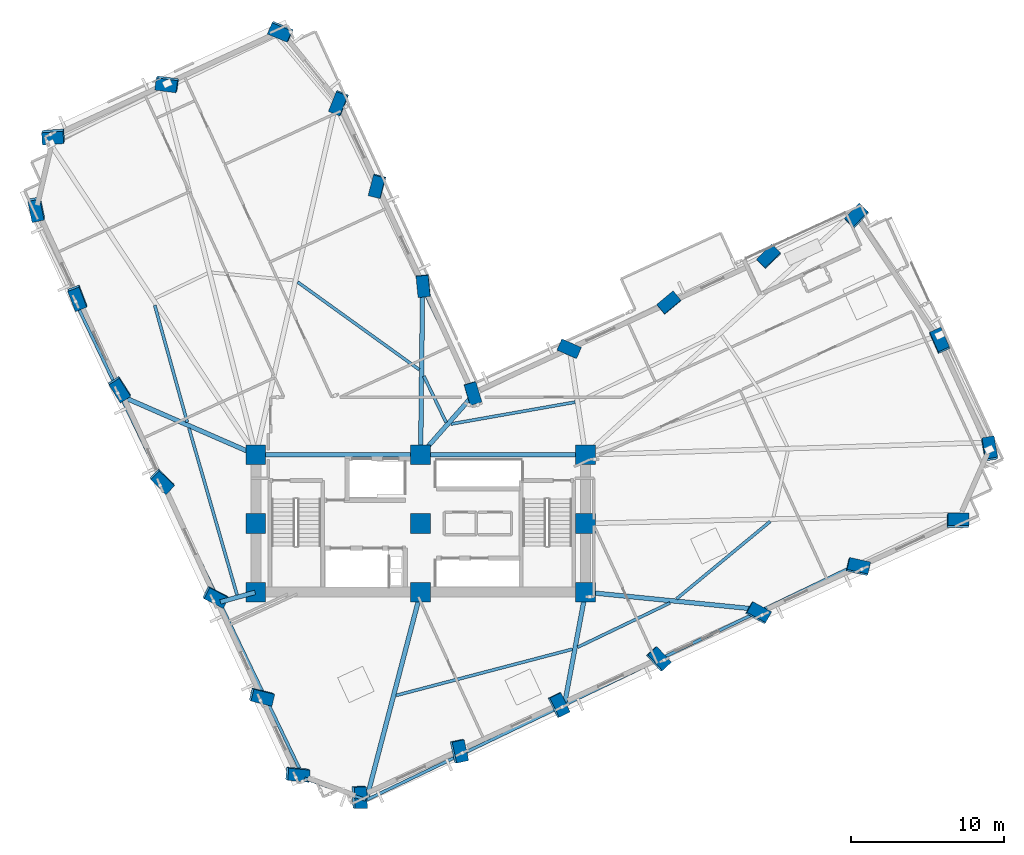
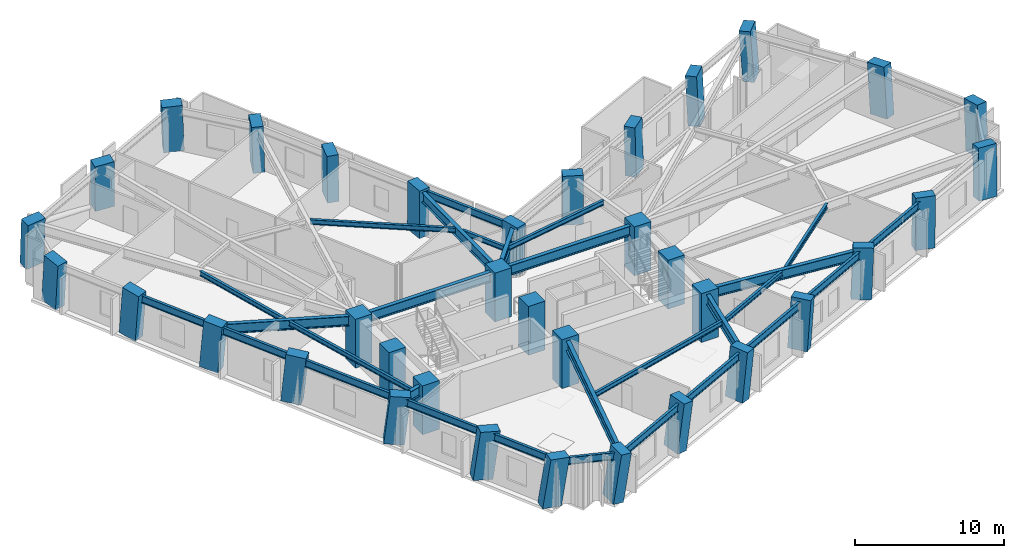
# One storey, part 1 of 16: 36 columns, 29 beams.
"""IFC4 building model written with IfcOpenShell, lengths in metres."""

from ifc_helpers import new_model, si_unit, direction, frame, origin, origin_2d, place, context, subcontext, project, spatial, rectangle, i_section, extrude, material, material_profile, profile_set, type_object, element, save


model = new_model("IFC4")

# Units and contexts
model_context = context("Model", 3, precision=1e-05, world=origin(), true_north=direction((0.0, 1.0)))
body_context = subcontext(model_context, "Body", "Model", "MODEL_VIEW")
ifc_project = project(units=[si_unit("LENGTHUNIT", "METRE"), si_unit("AREAUNIT", "SQUARE_METRE"), si_unit("VOLUMEUNIT", "CUBIC_METRE"), si_unit("PLANEANGLEUNIT", "RADIAN"), si_unit("MASSUNIT", "GRAM", prefix="KILO")], contexts=[model_context])

# Site, building, storey
site_placement = place(None, origin())
site = spatial("IfcSite", under=ifc_project, at=site_placement, CompositionType="ELEMENT")
building_placement = place(site_placement, origin())
building = spatial("IfcBuilding", under=site, at=building_placement, Name="Gaonmaruhae Medical Tower", CompositionType="ELEMENT")
storey_placement = place(building_placement, frame((0.0, 0.0, 128.39990234375)))
storey = spatial("IfcBuildingStorey", under=building, at=storey_placement, Name="L30", CompositionType="ELEMENT", Elevation=128.39990234375)

# Columns
ifc_material_1 = material(Name="Concrete C60/75", Category="concrete")
ifc_material_profile_1 = material_profile(ifc_material_1, rectangle(XDim=1.300048828125, YDim=1.300048828125, at=origin_2d()), Name="RC-1300x1300")
ifc_profile_set_1 = profile_set([ifc_material_profile_1], Name="Concrete C60/75")
column_type_1 = type_object("IfcColumnType", Name="CC-03 Zone 2 Core Column (RC-1300x1300)", PredefinedType="COLUMN", material=ifc_profile_set_1)
for number, where, z_axis, x_axis, name in (
    (1, (14.0, 7.800048828125, 0.0), (0.0, 0.0, 1.0), (1.0, 0.0, 0.0), "L30 Plumb Core Column CC11"),
    (2, (14.0, 12.300048828125, 0.0), (0.0, 0.0, 1.0), (1.0, 0.0, 0.0), "L30 Plumb Core Column CC12"),
    (3, (14.0, 16.800048828125, 0.0), (0.0, 0.0, 1.0), (1.0, 0.0, 0.0), "L30 Plumb Core Column CC13"),
    (4, (24.800048828125, 7.800048828125, 0.0), (0.0, 0.0, 1.0), (1.0, 0.0, 0.0), "L30 Plumb Core Column CC21"),
    (5, (24.800048828125, 12.300048828125, 0.0), (0.0, 0.0, 1.0), (1.0, 0.0, 0.0), "L30 Plumb Core Column CC22"),
    (6, (24.800048828125, 16.800048828125, 0.0), (0.0, 0.0, 1.0), (1.0, 0.0, 0.0), "L30 Plumb Core Column CC23"),
    (7, (35.60009765625, 7.800048828125, 0.0), (0.0, 0.0, 1.0), (1.0, 0.0, 0.0), "L30 Plumb Core Column CC31"),
    (8, (35.60009765625, 12.300048828125, 0.0), (0.0, 0.0, 1.0), (1.0, 0.0, 0.0), "L30 Plumb Core Column CC32"),
    (9, (35.60009765625, 16.800048828125, 0.0), (0.0, 0.0, 1.0), (1.0, 0.0, 0.0), "L30 Plumb Core Column CC33"),
):
    element("IfcColumn", number, at=place(storey_placement, frame(where, z_axis=z_axis, x_axis=x_axis)), inside=storey, type_object=column_type_1, Name=name, PredefinedType="COLUMN", context=body_context, shape_type="SweptSolid", body=[
        extrude(rectangle(XDim=1.300048828125, YDim=1.300048828125, at=origin_2d()), origin(), (0.0, 0.0, 1.0), 4.0),
    ])
ifc_material_profile_2 = material_profile(ifc_material_1, rectangle(XDim=1.39990234375, YDim=0.800048828125, at=origin_2d()), Name="RC-1400x800")
ifc_profile_set_2 = profile_set([ifc_material_profile_2], Name="Concrete C60/75")
column_type_2 = type_object("IfcColumnType", Name="TC-02 Mid Raking Tube Pier Column (RC-1400x800)", PredefinedType="COLUMN", material=ifc_profile_set_2)
column_1_placement = place(storey_placement, frame((20.730224609375, -5.6103515625, 0.001953125), z_axis=(0.125290866029, -0.051811102087, 0.990766273442), x_axis=(-0.035408269982, 0.99776574747, 0.056654810844)))
element("IfcColumn", 10, at=column_1_placement, inside=storey, type_object=column_type_2, Name="L30 Perimeter Tube Column S01", PredefinedType="COLUMN", context=body_context, shape_type="SweptSolid", body=[
    extrude(rectangle(XDim=1.39990234375, YDim=0.800048828125, at=origin_2d()), origin(), (0.0, 0.0, 1.0), 4.03369140625),
])
column_2_placement = place(storey_placement, frame((27.271484375, -2.6015625, 0.001953125), z_axis=(0.112987059175, -0.025121719924, 0.993278824725), x_axis=(-0.207980555078, 0.976936420147, 0.048366514234)))
element("IfcColumn", 11, at=column_2_placement, inside=storey, type_object=column_type_2, Name="L30 Perimeter Tube Column S02", PredefinedType="COLUMN", context=body_context, shape_type="SweptSolid", body=[
    extrude(rectangle(XDim=1.39990234375, YDim=0.800048828125, at=origin_2d()), origin(), (0.0, 0.0, 1.0), 4.0234375),
])
column_3_placement = place(storey_placement, frame((33.812744140625, 0.406982421875, 0.001953125), z_axis=(0.100592761199, 0.001701871489, 0.994926228435), x_axis=(-0.431055755995, 0.901345404639, 0.042040418159)))
element("IfcColumn", 12, at=column_3_placement, inside=storey, type_object=column_type_2, Name="L30 Perimeter Tube Column S03", PredefinedType="COLUMN", context=body_context, shape_type="SweptSolid", body=[
    extrude(rectangle(XDim=1.39990234375, YDim=0.800048828125, at=origin_2d()), origin(), (0.0, 0.0, 1.0), 4.0166015625),
])
column_4_placement = place(storey_placement, frame((40.353759765625, 3.415771484375, 0.001953125), z_axis=(0.088079787363, 0.028589433744, 0.995703065847), x_axis=(-0.6762297201, 0.735673833604, 0.038695945562)))
element("IfcColumn", 13, at=column_4_placement, inside=storey, type_object=column_type_2, Name="L30 Perimeter Tube Column S04", PredefinedType="COLUMN", context=body_context, shape_type="SweptSolid", body=[
    extrude(rectangle(XDim=1.39990234375, YDim=0.800048828125, at=origin_2d()), origin(), (0.0, 0.0, 1.0), 4.013671875),
])
column_5_placement = place(storey_placement, frame((46.89501953125, 6.42431640625, 0.001953125), z_axis=(0.075419968591, 0.055530993003, 0.995604407962), x_axis=(-0.873680391511, 0.484923595173, 0.039136687829)))
element("IfcColumn", 14, at=column_5_placement, inside=storey, type_object=column_type_2, Name="L30 Perimeter Tube Column S05", PredefinedType="COLUMN", context=body_context, shape_type="SweptSolid", body=[
    extrude(rectangle(XDim=1.39990234375, YDim=0.800048828125, at=origin_2d()), origin(), (0.0, 0.0, 1.0), 4.013916015625),
])
column_6_placement = place(storey_placement, frame((53.436279296875, 9.43310546875, 0.001953125), z_axis=(0.062707446692, 0.082333905298, 0.994630033815), x_axis=(-0.974580931044, 0.219822003977, 0.043246912178)))
element("IfcColumn", 15, at=column_6_placement, inside=storey, type_object=column_type_2, Name="L30 Perimeter Tube Column S06", PredefinedType="COLUMN", context=body_context, shape_type="SweptSolid", body=[
    extrude(rectangle(XDim=1.39990234375, YDim=0.800048828125, at=origin_2d()), origin(), (0.0, 0.0, 1.0), 4.017822265625),
])
column_7_placement = place(storey_placement, frame((59.9775390625, 12.44189453125, 0.001953125), z_axis=(0.049976235461, 0.108928785058, 0.992792473619), x_axis=(-0.998743622915, 0.001786759957, 0.050079768123)))
element("IfcColumn", 16, at=column_7_placement, inside=storey, type_object=column_type_2, Name="L30 Perimeter Tube Column S07", PredefinedType="COLUMN", context=body_context, shape_type="SweptSolid", body=[
    extrude(rectangle(XDim=1.39990234375, YDim=0.800048828125, at=origin_2d()), origin(), (0.0, 0.0, 1.0), 4.025390625),
])
column_8_placement = place(storey_placement, frame((62.054443359375, 17.139404296875, 0.001953125), z_axis=(0.030562724867, 0.117339032971, 0.992621514572), x_axis=(0.177070531246, -0.978013675375, 0.110160236673)))
element("IfcColumn", 17, at=column_8_placement, inside=storey, type_object=column_type_2, Name="L30 Perimeter Tube Column E01", PredefinedType="COLUMN", context=body_context, shape_type="SweptSolid", body=[
    extrude(rectangle(XDim=1.39990234375, YDim=0.800048828125, at=origin_2d()), origin(), (0.0, 0.0, 1.0), 4.026123046875),
])
column_9_placement = place(storey_placement, frame((58.795166015625, 24.225830078125, 0.001953125), z_axis=(0.001519009353, 0.103900239722, 0.994586563752), x_axis=(0.40461345437, -0.909601989756, 0.094404304852)))
element("IfcColumn", 18, at=column_9_placement, inside=storey, type_object=column_type_2, Name="L30 Perimeter Tube Column E02", PredefinedType="COLUMN", context=body_context, shape_type="SweptSolid", body=[
    extrude(rectangle(XDim=1.39990234375, YDim=0.800048828125, at=origin_2d()), origin(), (0.0, 0.0, 1.0), 4.01806640625),
])
column_10_placement = place(storey_placement, frame((53.37890625, 32.41162109375, 0.001953125), z_axis=(-0.032071636862, 0.081365803575, 0.996168166585), x_axis=(-0.692570659496, -0.720423674245, 0.036546014718)))
element("IfcColumn", 19, at=column_10_placement, inside=storey, type_object=column_type_2, Name="L30 Perimeter Tube Column E03", PredefinedType="COLUMN", context=body_context, shape_type="SweptSolid", body=[
    extrude(rectangle(XDim=1.39990234375, YDim=0.800048828125, at=origin_2d()), origin(), (0.0, 0.0, 1.0), 4.01171875),
])
column_11_placement = place(storey_placement, frame((47.610107421875, 29.758056640625, 0.001953125), z_axis=(-0.021036511453, 0.05780467495, 0.998106249224), x_axis=(-0.711098781528, -0.702622090832, 0.025704481794)))
element("IfcColumn", 20, at=column_11_placement, inside=storey, type_object=column_type_2, Name="L30 Perimeter Tube Column EN01", PredefinedType="COLUMN", context=body_context, shape_type="SweptSolid", body=[
    extrude(rectangle(XDim=1.39990234375, YDim=0.800048828125, at=origin_2d()), origin(), (0.0, 0.0, 1.0), 4.00390625),
])
column_12_placement = place(storey_placement, frame((41.06884765625, 26.749267578125, 0.001953125), z_axis=(-0.0083651903, 0.030896250305, 0.999487591373), x_axis=(-0.76778425247, -0.640568841892, 0.013375367549)))
element("IfcColumn", 21, at=column_12_placement, inside=storey, type_object=column_type_2, Name="L30 Perimeter Tube Column EN02", PredefinedType="COLUMN", context=body_context, shape_type="SweptSolid", body=[
    extrude(rectangle(XDim=1.39990234375, YDim=0.800048828125, at=origin_2d()), origin(), (0.0, 0.0, 1.0), 3.998291015625),
])
column_13_placement = place(storey_placement, frame((34.527587890625, 23.74072265625, 0.001953125), z_axis=(0.004337394239, 0.003848673761, 0.999983187219), x_axis=(-0.915540928611, 0.402217524022, 0.002423098657)))
element("IfcColumn", 22, at=column_13_placement, inside=storey, type_object=column_type_2, Name="L30 Perimeter Tube Column EN03", PredefinedType="COLUMN", context=body_context, shape_type="SweptSolid", body=[
    extrude(rectangle(XDim=1.39990234375, YDim=0.800048828125, at=origin_2d()), origin(), (0.0, 0.0, 1.0), 3.996337890625),
])
column_14_placement = place(storey_placement, frame((28.21337890625, 20.83642578125, 0.001953125), z_axis=(0.016610399314, -0.022167554967, 0.999616273448), x_axis=(-0.284546396124, 0.958310178837, 0.025979791964)))
element("IfcColumn", 23, at=column_14_placement, inside=storey, type_object=column_type_2, Name="L30 Perimeter Tube Column KN01", PredefinedType="COLUMN", context=body_context, shape_type="SweptSolid", body=[
    extrude(rectangle(XDim=1.39990234375, YDim=0.800048828125, at=origin_2d()), origin(), (0.0, 0.0, 1.0), 3.997802734375),
])
column_15_placement = place(storey_placement, frame((24.974853515625, 27.87744140625, 0.001953125), z_axis=(-0.012453610314, -0.035834653208, 0.999280133506), x_axis=(-0.096688222569, 0.994717788265, 0.034466060499)))
element("IfcColumn", 24, at=column_15_placement, inside=storey, type_object=column_type_2, Name="L30 Perimeter Tube Column NE01", PredefinedType="COLUMN", context=body_context, shape_type="SweptSolid", body=[
    extrude(rectangle(XDim=1.39990234375, YDim=0.800048828125, at=origin_2d()), origin(), (0.0, 0.0, 1.0), 3.999267578125),
])
column_16_placement = place(storey_placement, frame((21.96630859375, 34.418701171875, 0.001953125), z_axis=(-0.039387790882, -0.048472590946, 0.998047598993), x_axis=(0.247513343788, 0.9672214419, 0.056743519237)))
element("IfcColumn", 25, at=column_16_placement, inside=storey, type_object=column_type_2, Name="L30 Perimeter Tube Column NE02", PredefinedType="COLUMN", context=body_context, shape_type="SweptSolid", body=[
    extrude(rectangle(XDim=1.39990234375, YDim=0.800048828125, at=origin_2d()), origin(), (0.0, 0.0, 1.0), 4.004150390625),
])
column_17_placement = place(storey_placement, frame((19.458984375, 39.86962890625, 0.001953125), z_axis=(-0.061781069233, -0.058920270954, 0.996349085991), x_axis=(0.366661036491, 0.927115878049, 0.077561801087)))
element("IfcColumn", 26, at=column_17_placement, inside=storey, type_object=column_type_2, Name="L30 Perimeter Tube Column NE03", PredefinedType="COLUMN", context=body_context, shape_type="SweptSolid", body=[
    extrude(rectangle(XDim=1.39990234375, YDim=0.800048828125, at=origin_2d()), origin(), (0.0, 0.0, 1.0), 4.010986328125),
])
column_18_placement = place(storey_placement, frame((15.651611328125, 44.5576171875, 0.001953125), z_axis=(-0.080758451197, -0.074625666557, 0.993936156124), x_axis=(0.921615897626, -0.385373724027, 0.04594812371)))
element("IfcColumn", 27, at=column_18_placement, inside=storey, type_object=column_type_2, Name="L30 Perimeter Tube Column N01", PredefinedType="COLUMN", context=body_context, shape_type="SweptSolid", body=[
    extrude(rectangle(XDim=1.39990234375, YDim=0.800048828125, at=origin_2d()), origin(), (0.0, 0.0, 1.0), 4.020751953125),
])
column_19_placement = place(storey_placement, frame((8.201904296875, 41.131103515625, 0.001953125), z_axis=(-0.066315906704, -0.105050700474, 0.992253269507), x_axis=(0.989572277027, -0.134357096422, 0.05191222573)))
element("IfcColumn", 28, at=column_19_placement, inside=storey, type_object=column_type_2, Name="L30 Perimeter Tube Column N02", PredefinedType="COLUMN", context=body_context, shape_type="SweptSolid", body=[
    extrude(rectangle(XDim=1.39990234375, YDim=0.800048828125, at=origin_2d()), origin(), (0.0, 0.0, 1.0), 4.027587890625),
])
column_20_placement = place(storey_placement, frame((0.752197265625, 37.704345703125, 0.001953125), z_axis=(-0.051803682793, -0.135161067357, 0.989468475657), x_axis=(0.996307293589, 0.060936555127, 0.060485642854)))
element("IfcColumn", 29, at=column_20_placement, inside=storey, type_object=column_type_2, Name="L30 Perimeter Tube Column N03", PredefinedType="COLUMN", context=body_context, shape_type="SweptSolid", body=[
    extrude(rectangle(XDim=1.39990234375, YDim=0.800048828125, at=origin_2d()), origin(), (0.0, 0.0, 1.0), 4.038818359375),
])
column_21_placement = place(storey_placement, frame((-0.364501953125, 32.953125, 0.001953125), z_axis=(-0.032286006217, -0.139603723512, 0.989680965859), x_axis=(-0.20452711643, 0.970166043723, 0.130178747314)))
element("IfcColumn", 30, at=column_21_placement, inside=storey, type_object=column_type_2, Name="L30 Perimeter Tube Column W01", PredefinedType="COLUMN", context=body_context, shape_type="SweptSolid", body=[
    extrude(rectangle(XDim=1.39990234375, YDim=0.800048828125, at=origin_2d()), origin(), (0.0, 0.0, 1.0), 4.0380859375),
])
column_22_placement = place(storey_placement, frame((2.309814453125, 27.138671875, 0.001953125), z_axis=(-0.008541919001, -0.128674013889, 0.991650156945), x_axis=(-0.357273724346, 0.926622537039, 0.1171586947)))
element("IfcColumn", 31, at=column_22_placement, inside=storey, type_object=column_type_2, Name="L30 Perimeter Tube Column W02", PredefinedType="COLUMN", context=body_context, shape_type="SweptSolid", body=[
    extrude(rectangle(XDim=1.39990234375, YDim=0.800048828125, at=origin_2d()), origin(), (0.0, 0.0, 1.0), 4.030029296875),
])
column_23_placement = place(storey_placement, frame((5.06787109375, 21.142578125, 0.001953125), z_axis=(0.016014588508, -0.117318993088, 0.992965148842), x_axis=(-0.536039138847, 0.837311135959, 0.107573710648)))
element("IfcColumn", 32, at=column_23_placement, inside=storey, type_object=column_type_2, Name="L30 Perimeter Tube Column W03", PredefinedType="COLUMN", context=body_context, shape_type="SweptSolid", body=[
    extrude(rectangle(XDim=1.39990234375, YDim=0.800048828125, at=origin_2d()), origin(), (0.0, 0.0, 1.0), 4.024658203125),
])
column_24_placement = place(storey_placement, frame((7.8466796875, 15.100830078125, 0.001953125), z_axis=(0.040849580796, -0.105674769935, 0.993561349262), x_axis=(-0.715220921061, 0.691277435533, 0.102929787717)))
element("IfcColumn", 33, at=column_24_placement, inside=storey, type_object=column_type_2, Name="L30 Perimeter Tube Column W04", PredefinedType="COLUMN", context=body_context, shape_type="SweptSolid", body=[
    extrude(rectangle(XDim=1.39990234375, YDim=0.800048828125, at=origin_2d()), origin(), (0.0, 0.0, 1.0), 4.022216796875),
])
column_25_placement = place(storey_placement, frame((11.3359375, 7.514892578125, 0.001953125), z_axis=(0.07190388541, -0.091078254852, 0.993244472804), x_axis=(-0.887125530949, 0.449326285156, 0.105423819915)))
element("IfcColumn", 34, at=column_25_placement, inside=storey, type_object=column_type_2, Name="L30 Perimeter Tube Column W05", PredefinedType="COLUMN", context=body_context, shape_type="SweptSolid", body=[
    extrude(rectangle(XDim=1.39990234375, YDim=0.800048828125, at=origin_2d()), origin(), (0.0, 0.0, 1.0), 4.0234375),
])
column_26_placement = place(storey_placement, frame((14.3447265625, 0.9736328125, 0.001953125), z_axis=(0.098603681289, -0.078361745487, 0.992036668113), x_axis=(-0.965575695203, 0.233602772906, 0.114426051772)))
element("IfcColumn", 35, at=column_26_placement, inside=storey, type_object=column_type_2, Name="L30 Perimeter Tube Column W06", PredefinedType="COLUMN", context=body_context, shape_type="SweptSolid", body=[
    extrude(rectangle(XDim=1.39990234375, YDim=0.800048828125, at=origin_2d()), origin(), (0.0, 0.0, 1.0), 4.0283203125),
])
column_27_placement = place(storey_placement, frame((16.684814453125, -4.114013671875, 0.001953125), z_axis=(0.119266722204, -0.068437677733, 0.990500748733), x_axis=(-0.98848077211, 0.085434908201, 0.12492653693)))
element("IfcColumn", 36, at=column_27_placement, inside=storey, type_object=column_type_2, Name="L30 Perimeter Tube Column W07", PredefinedType="COLUMN", context=body_context, shape_type="SweptSolid", body=[
    extrude(rectangle(XDim=1.39990234375, YDim=0.800048828125, at=origin_2d()), origin(), (0.0, 0.0, 1.0), 4.03466796875),
])

# Beams
ifc_material_2 = material(Name="Steel SM355", Category="steel")
ifc_material_profile_3 = material_profile(ifc_material_2, i_section(OverallWidth=0.199951171875, OverallDepth=0.39990234375, WebThickness=0.008056640625, FlangeThickness=0.012939453125, FilletRadius=0.012939453125, at=origin_2d()), Name="H-400x200x8x13")
ifc_profile_set_3 = profile_set([ifc_material_profile_3], Name="Steel SM355")
beam_type_1 = type_object("IfcBeamType", Name="FJ-01 Lower Zone Ward Floor Joist (H-400x200x8x13)", PredefinedType="JOIST", material=ifc_profile_set_3)
beam_1_placement = place(storey_placement, frame((23.190185546875, 1.035400390625, 3.580078125), z_axis=(0.967319830763, 0.25355935205, 0.0), x_axis=(-0.25355935205, 0.967319830763, 0.0)))
element("IfcBeam", 37, at=beam_1_placement, inside=storey, type_object=beam_type_1, Name="L30 Secondary Floor Joist FJ01", PredefinedType="JOIST", context=body_context, shape_type="SweptSolid", body=[
    extrude(i_section(OverallWidth=0.199951171875, OverallDepth=0.39990234375, WebThickness=0.008056640625, FlangeThickness=0.012939453125, FilletRadius=0.012939453125, at=origin_2d()), origin(), (0.0, 0.0, 1.0), 11.9423828125),
])
beam_2_placement = place(storey_placement, frame((35.08154296875, 4.18994140625, 3.580078125), z_axis=(0.901448139002, 0.432887113102, 0.0), x_axis=(-0.432887113102, 0.901448139002, 0.0)))
element("IfcBeam", 38, at=beam_2_placement, inside=storey, type_object=beam_type_1, Name="L30 Secondary Floor Joist FJ02", PredefinedType="JOIST", context=body_context, shape_type="SweptSolid", body=[
    extrude(i_section(OverallWidth=0.199951171875, OverallDepth=0.39990234375, WebThickness=0.008056640625, FlangeThickness=0.012939453125, FilletRadius=0.012939453125, at=origin_2d()), origin(), (0.0, 0.0, 1.0), 6.713623046875),
])
beam_3_placement = place(storey_placement, frame((41.56640625, 7.362060546875, 3.580078125), z_axis=(0.770662949966, 0.637242981562, 0.0), x_axis=(-0.637242981562, 0.770662949966, 0.0)))
element("IfcBeam", 39, at=beam_3_placement, inside=storey, type_object=beam_type_1, Name="L30 Secondary Floor Joist FJ03", PredefinedType="JOIST", context=body_context, shape_type="SweptSolid", body=[
    extrude(i_section(OverallWidth=0.199951171875, OverallDepth=0.39990234375, WebThickness=0.008056640625, FlangeThickness=0.012939453125, FilletRadius=0.012939453125, at=origin_2d()), origin(), (0.0, 0.0, 1.0), 7.956298828125),
])
beam_4_placement = place(storey_placement, frame((34.9189453125, 20.2509765625, 3.580078125), z_axis=(-0.984815075899, -0.173606642389, 0.0), x_axis=(0.173606642389, -0.984815075899, 0.0)))
element("IfcBeam", 40, at=beam_4_placement, inside=storey, type_object=beam_type_1, Name="L30 Secondary Floor Joist FJ08", PredefinedType="JOIST", context=body_context, shape_type="SweptSolid", body=[
    extrude(i_section(OverallWidth=0.199951171875, OverallDepth=0.39990234375, WebThickness=0.008056640625, FlangeThickness=0.012939453125, FilletRadius=0.012939453125, at=origin_2d()), origin(), (0.0, 0.0, 1.0), 8.261962890625),
])
beam_5_placement = place(storey_placement, frame((26.466796875, 18.926025390625, 3.580078125), z_axis=(-0.432834947215, 0.901473187882, 0.0), x_axis=(-0.901473187882, -0.432834947215, 0.0)))
element("IfcBeam", 41, at=beam_5_placement, inside=storey, type_object=beam_type_1, Name="L30 Secondary Floor Joist FJ09", PredefinedType="JOIST", context=body_context, shape_type="SweptSolid", body=[
    extrude(i_section(OverallWidth=0.199951171875, OverallDepth=0.39990234375, WebThickness=0.008056640625, FlangeThickness=0.012939453125, FilletRadius=0.012939453125, at=origin_2d()), origin(), (0.0, 0.0, 1.0), 3.36181640625),
])
beam_6_placement = place(storey_placement, frame((24.708984375, 22.377685546875, 3.580078125), z_axis=(-0.811317346429, 0.584605989863, 0.0), x_axis=(-0.584605989863, -0.811317346429, 0.0)))
element("IfcBeam", 42, at=beam_6_placement, inside=storey, type_object=beam_type_1, Name="L30 Secondary Floor Joist FJ10", PredefinedType="JOIST", context=body_context, shape_type="SweptSolid", body=[
    extrude(i_section(OverallWidth=0.199951171875, OverallDepth=0.39990234375, WebThickness=0.008056640625, FlangeThickness=0.012939453125, FilletRadius=0.012939453125, at=origin_2d()), origin(), (0.0, 0.0, 1.0), 9.819091796875),
])
beam_7_placement = place(storey_placement, frame((7.37890625, 26.593017578125, 3.580078125), z_axis=(0.26815811788, -0.963374913424, 0.0), x_axis=(0.963374913424, 0.26815811788, 0.0)))
element("IfcBeam", 43, at=beam_7_placement, inside=storey, type_object=beam_type_1, Name="L30 Secondary Floor Joist FJ13", PredefinedType="JOIST", context=body_context, shape_type="SweptSolid", body=[
    extrude(i_section(OverallWidth=0.199951171875, OverallDepth=0.39990234375, WebThickness=0.008056640625, FlangeThickness=0.012939453125, FilletRadius=0.012939453125, at=origin_2d()), origin(), (0.0, 0.0, 1.0), 7.957275390625),
])
beam_8_placement = place(storey_placement, frame((9.621826171875, 18.542236328125, 3.580078125), z_axis=(0.277016079497, -0.960865282805, 0.0), x_axis=(0.960865282805, 0.277016079497, 0.0)))
element("IfcBeam", 44, at=beam_8_placement, inside=storey, type_object=beam_type_1, Name="L30 Secondary Floor Joist FJ14", PredefinedType="JOIST", context=body_context, shape_type="SweptSolid", body=[
    extrude(i_section(OverallWidth=0.199951171875, OverallDepth=0.39990234375, WebThickness=0.008056640625, FlangeThickness=0.012939453125, FilletRadius=0.012939453125, at=origin_2d()), origin(), (0.0, 0.0, 1.0), 11.36279296875),
])
ifc_material_3 = material(Name="Steel SM420", Category="steel")
ifc_material_profile_4 = material_profile(ifc_material_3, i_section(OverallWidth=0.300048828125, OverallDepth=0.800048828125, WebThickness=0.013916015625, FlangeThickness=0.02587890625, FilletRadius=0.01806640625, at=origin_2d()), Name="H-800x300x14x26")
ifc_profile_set_4 = profile_set([ifc_material_profile_4], Name="Steel SM420")
beam_type_2 = type_object("IfcBeamType", Name="PG-02 Zone 2 Radial Floor Girder (H-800x300x14x26)", PredefinedType="BEAM", material=ifc_profile_set_4)
for number, where, z_axis, x_axis, name in (
    (45, (14.050048828125, 16.800048828125, 3.380126953125), (1.0, 0.0, 0.0), (0.0, 1.0, 0.0), "L30 Beam BM-L30-CG-N1"),
    (46, (24.85009765625, 16.800048828125, 3.380126953125), (1.0, 0.0, 0.0), (0.0, 1.0, 0.0), "L30 Beam BM-L30-CG-N2"),
):
    element("IfcBeam", number, at=place(storey_placement, frame(where, z_axis=z_axis, x_axis=x_axis)), inside=storey, type_object=beam_type_2, Name=name, PredefinedType="BEAM", context=body_context, shape_type="SweptSolid", body=[
        extrude(i_section(OverallWidth=0.300048828125, OverallDepth=0.800048828125, WebThickness=0.013916015625, FlangeThickness=0.02587890625, FilletRadius=0.01806640625, at=origin_2d()), origin(), (0.0, 0.0, 1.0), 10.699951171875),
    ])
beam_9_placement = place(storey_placement, frame((24.787353515625, 7.751708984375, 3.380126953125), z_axis=(-0.253169086733, -0.967422045192, 0.0), x_axis=(0.967422045192, -0.253169086733, 0.0)))
element("IfcBeam", 47, at=beam_9_placement, inside=storey, type_object=beam_type_2, Name="L30 Radial Primary Girder S01", PredefinedType="BEAM", context=body_context, shape_type="SweptSolid", body=[
    extrude(i_section(OverallWidth=0.300048828125, OverallDepth=0.800048828125, WebThickness=0.013916015625, FlangeThickness=0.02587890625, FilletRadius=0.01806640625, at=origin_2d()), origin(), (0.0, 0.0, 1.0), 13.97802734375),
])
beam_10_placement = place(storey_placement, frame((35.5908203125, 7.750732421875, 3.380126953125), z_axis=(-0.184069836114, -0.982913167799, 0.0), x_axis=(0.982913167799, -0.184069836114, 0.0)))
element("IfcBeam", 48, at=beam_10_placement, inside=storey, type_object=beam_type_2, Name="L30 Radial Primary Girder S03", PredefinedType="BEAM", context=body_context, shape_type="SweptSolid", body=[
    extrude(i_section(OverallWidth=0.300048828125, OverallDepth=0.800048828125, WebThickness=0.013916015625, FlangeThickness=0.02587890625, FilletRadius=0.01806640625, at=origin_2d()), origin(), (0.0, 0.0, 1.0), 7.414306640625),
])
beam_11_placement = place(storey_placement, frame((35.649658203125, 7.795166015625, 3.380126953125), z_axis=(0.995094968311, -0.09892423385, 0.0), x_axis=(0.09892423385, 0.995094968311, 0.0)))
element("IfcBeam", 49, at=beam_11_placement, inside=storey, type_object=beam_type_2, Name="L30 Radial Primary Girder S05", PredefinedType="BEAM", context=body_context, shape_type="SweptSolid", body=[
    extrude(i_section(OverallWidth=0.300048828125, OverallDepth=0.800048828125, WebThickness=0.013916015625, FlangeThickness=0.02587890625, FilletRadius=0.01806640625, at=origin_2d()), origin(), (0.0, 0.0, 1.0), 11.554931640625),
])
beam_12_placement = place(storey_placement, frame((24.8330078125, 16.83740234375, 3.380126953125), z_axis=(0.661255567076, 0.750160699458, 0.0), x_axis=(-0.750160699458, 0.661255567076, 0.0)))
element("IfcBeam", 50, at=beam_12_placement, inside=storey, type_object=beam_type_2, Name="L30 Radial Primary Girder KN01", PredefinedType="BEAM", context=body_context, shape_type="SweptSolid", body=[
    extrude(i_section(OverallWidth=0.300048828125, OverallDepth=0.800048828125, WebThickness=0.013916015625, FlangeThickness=0.02587890625, FilletRadius=0.01806640625, at=origin_2d()), origin(), (0.0, 0.0, 1.0), 5.16259765625),
])
beam_13_placement = place(storey_placement, frame((24.800537109375, 16.85009765625, 3.380126953125), z_axis=(0.011446879327, 0.999934482331, 0.0), x_axis=(-0.999934482331, 0.011446879327, 0.0)))
element("IfcBeam", 51, at=beam_13_placement, inside=storey, type_object=beam_type_2, Name="L30 Radial Primary Girder NE01", PredefinedType="BEAM", context=body_context, shape_type="SweptSolid", body=[
    extrude(i_section(OverallWidth=0.300048828125, OverallDepth=0.800048828125, WebThickness=0.013916015625, FlangeThickness=0.02587890625, FilletRadius=0.01806640625, at=origin_2d()), origin(), (0.0, 0.0, 1.0), 10.834716796875),
])
beam_14_placement = place(storey_placement, frame((13.9541015625, 16.820068359375, 3.380126953125), z_axis=(-0.916516265951, 0.3999974178, 0.0), x_axis=(-0.3999974178, -0.916516265951, 0.0)))
element("IfcBeam", 52, at=beam_14_placement, inside=storey, type_object=beam_type_2, Name="L30 Radial Primary Girder W03", PredefinedType="BEAM", context=body_context, shape_type="SweptSolid", body=[
    extrude(i_section(OverallWidth=0.300048828125, OverallDepth=0.800048828125, WebThickness=0.013916015625, FlangeThickness=0.02587890625, FilletRadius=0.01806640625, at=origin_2d()), origin(), (0.0, 0.0, 1.0), 9.5751953125),
])
beam_15_placement = place(storey_placement, frame((13.951904296875, 7.786865234375, 3.380126953125), z_axis=(-0.964345283334, -0.264647264318, 0.0), x_axis=(0.264647264318, -0.964345283334, 0.0)))
element("IfcBeam", 53, at=beam_15_placement, inside=storey, type_object=beam_type_2, Name="L30 Radial Primary Girder W05", PredefinedType="BEAM", context=body_context, shape_type="SweptSolid", body=[
    extrude(i_section(OverallWidth=0.300048828125, OverallDepth=0.800048828125, WebThickness=0.013916015625, FlangeThickness=0.02587890625, FilletRadius=0.01806640625, at=origin_2d()), origin(), (0.0, 0.0, 1.0), 2.362548828125),
])
ifc_material_profile_5 = material_profile(ifc_material_2, i_section(OverallWidth=0.199951171875, OverallDepth=0.60009765625, WebThickness=0.010986328125, FlangeThickness=0.01708984375, FilletRadius=0.012939453125, at=origin_2d()), Name="H-600x200x11x17")
ifc_profile_set_5 = profile_set([ifc_material_profile_5], Name="Steel SM355")
beam_type_3 = type_object("IfcBeamType", Name="SP-01 Lower Perimeter Spandrel Beam (H-600x200x11x17)", PredefinedType="SPANDREL", material=ifc_profile_set_5)
for number, where, z_axis, x_axis, name in (
    (54, (21.27197265625, -5.80224609375, 3.47998046875), (0.9014588392, 0.432864830204, 0.0), (-0.432864830204, 0.9014588392, 0.0), "L30 Perimeter Spandrel Beam S01-S02"),
    (55, (27.762451171875, -2.685546875, 3.47998046875), (0.9014588392, 0.432864830204, 0.0), (-0.432864830204, 0.9014588392, 0.0), "L30 Perimeter Spandrel Beam S02-S03"),
    (56, (34.2529296875, 0.43115234375, 3.47998046875), (0.9014588392, 0.432864830204, 0.0), (-0.432864830204, 0.9014588392, 0.0), "L30 Perimeter Spandrel Beam S03-S04"),
    (57, (40.743408203125, 3.5478515625, 3.47998046875), (0.9014588392, 0.432864830204, 0.0), (-0.432864830204, 0.9014588392, 0.0), "L30 Perimeter Spandrel Beam S04-S05"),
    (58, (47.23388671875, 6.66455078125, 3.47998046875), (0.9014588392, 0.432864830204, 0.0), (-0.432864830204, 0.9014588392, 0.0), "L30 Perimeter Spandrel Beam S05-S06"),
):
    element("IfcBeam", number, at=place(storey_placement, frame(where, z_axis=z_axis, x_axis=x_axis)), inside=storey, type_object=beam_type_3, Name=name, PredefinedType="SPANDREL", context=body_context, shape_type="SweptSolid", body=[
        extrude(i_section(OverallWidth=0.199951171875, OverallDepth=0.60009765625, WebThickness=0.010986328125, FlangeThickness=0.01708984375, FilletRadius=0.012939453125, at=origin_2d()), origin(), (0.0, 0.0, 1.0), 7.1201171875),
    ])
beam_16_placement = place(storey_placement, frame((28.262451171875, 20.78369140625, 3.47998046875), z_axis=(-0.432858342519, 0.901461954445, 0.0), x_axis=(-0.901461954445, -0.432858342519, 0.0)))
element("IfcBeam", 59, at=beam_16_placement, inside=storey, type_object=beam_type_3, Name="L30 Perimeter Spandrel Beam KN01-NE01", PredefinedType="SPANDREL", context=body_context, shape_type="SweptSolid", body=[
    extrude(i_section(OverallWidth=0.199951171875, OverallDepth=0.60009765625, WebThickness=0.010986328125, FlangeThickness=0.01708984375, FilletRadius=0.012939453125, at=origin_2d()), origin(), (0.0, 0.0, 1.0), 7.670166015625),
])
beam_17_placement = place(storey_placement, frame((2.292724609375, 26.583740234375, 3.47998046875), z_axis=(0.432867404348, -0.901457603137, 0.0), x_axis=(0.901457603137, 0.432867404348, 0.0)))
element("IfcBeam", 60, at=beam_17_placement, inside=storey, type_object=beam_type_3, Name="L30 Perimeter Spandrel Beam W02-W03", PredefinedType="SPANDREL", context=body_context, shape_type="SweptSolid", body=[
    extrude(i_section(OverallWidth=0.199951171875, OverallDepth=0.60009765625, WebThickness=0.010986328125, FlangeThickness=0.01708984375, FilletRadius=0.012939453125, at=origin_2d()), origin(), (0.0, 0.0, 1.0), 6.52001953125),
])
beam_18_placement = place(storey_placement, frame((5.149658203125, 20.634033203125, 3.47998046875), z_axis=(0.432872404121, -0.901455202298, 0.0), x_axis=(0.901455202298, 0.432872404121, 0.0)))
element("IfcBeam", 61, at=beam_18_placement, inside=storey, type_object=beam_type_3, Name="L30 Perimeter Spandrel Beam W03-W04", PredefinedType="SPANDREL", context=body_context, shape_type="SweptSolid", body=[
    extrude(i_section(OverallWidth=0.199951171875, OverallDepth=0.60009765625, WebThickness=0.010986328125, FlangeThickness=0.01708984375, FilletRadius=0.012939453125, at=origin_2d()), origin(), (0.0, 0.0, 1.0), 6.570068359375),
])
beam_19_placement = place(storey_placement, frame((8.0283203125, 14.639404296875, 3.47998046875), z_axis=(0.432868303186, -0.901457171527, 0.0), x_axis=(0.901457171527, 0.432868303186, 0.0)))
element("IfcBeam", 62, at=beam_19_placement, inside=storey, type_object=beam_type_3, Name="L30 Perimeter Spandrel Beam W04-W05", PredefinedType="SPANDREL", context=body_context, shape_type="SweptSolid", body=[
    extrude(i_section(OverallWidth=0.199951171875, OverallDepth=0.60009765625, WebThickness=0.010986328125, FlangeThickness=0.01708984375, FilletRadius=0.012939453125, at=origin_2d()), origin(), (0.0, 0.0, 1.0), 8.27001953125),
])
beam_20_placement = place(storey_placement, frame((11.642822265625, 7.1123046875, 3.47998046875), z_axis=(0.432864830204, -0.9014588392, 0.0), x_axis=(0.9014588392, 0.432864830204, 0.0)))
element("IfcBeam", 63, at=beam_20_placement, inside=storey, type_object=beam_type_3, Name="L30 Perimeter Spandrel Beam W05-W06", PredefinedType="SPANDREL", context=body_context, shape_type="SweptSolid", body=[
    extrude(i_section(OverallWidth=0.199951171875, OverallDepth=0.60009765625, WebThickness=0.010986328125, FlangeThickness=0.01708984375, FilletRadius=0.012939453125, at=origin_2d()), origin(), (0.0, 0.0, 1.0), 7.1201171875),
])
beam_21_placement = place(storey_placement, frame((14.759521484375, 0.621826171875, 3.47998046875), z_axis=(0.432861907337, -0.901460242704, 0.0), x_axis=(0.901460242704, 0.432861907337, 0.0)))
element("IfcBeam", 64, at=beam_21_placement, inside=storey, type_object=beam_type_3, Name="L30 Perimeter Spandrel Beam W06-W07", PredefinedType="SPANDREL", context=body_context, shape_type="SweptSolid", body=[
    extrude(i_section(OverallWidth=0.199951171875, OverallDepth=0.60009765625, WebThickness=0.010986328125, FlangeThickness=0.01708984375, FilletRadius=0.012939453125, at=origin_2d()), origin(), (0.0, 0.0, 1.0), 5.52001953125),
])
beam_22_placement = place(storey_placement, frame((17.203857421875, -4.403564453125, 3.47998046875), z_axis=(0.943522516448, -0.331308407615, 0.0), x_axis=(0.331308407615, 0.943522516448, 0.0)))
element("IfcBeam", 65, at=beam_22_placement, inside=storey, type_object=beam_type_3, Name="L30 Perimeter Spandrel Beam W07-S01", PredefinedType="SPANDREL", context=body_context, shape_type="SweptSolid", body=[
    extrude(i_section(OverallWidth=0.199951171875, OverallDepth=0.60009765625, WebThickness=0.010986328125, FlangeThickness=0.01708984375, FilletRadius=0.012939453125, at=origin_2d()), origin(), (0.0, 0.0, 1.0), 4.2333984375),
])

save(model, "model.ifc")
